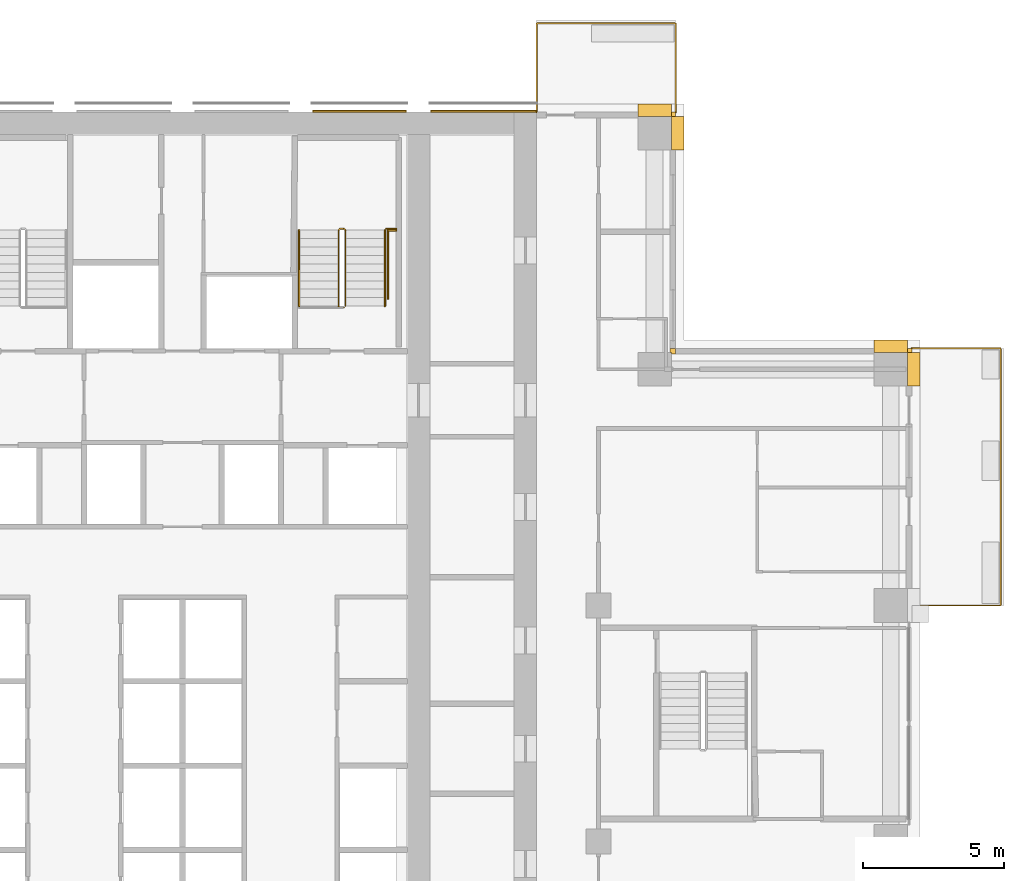
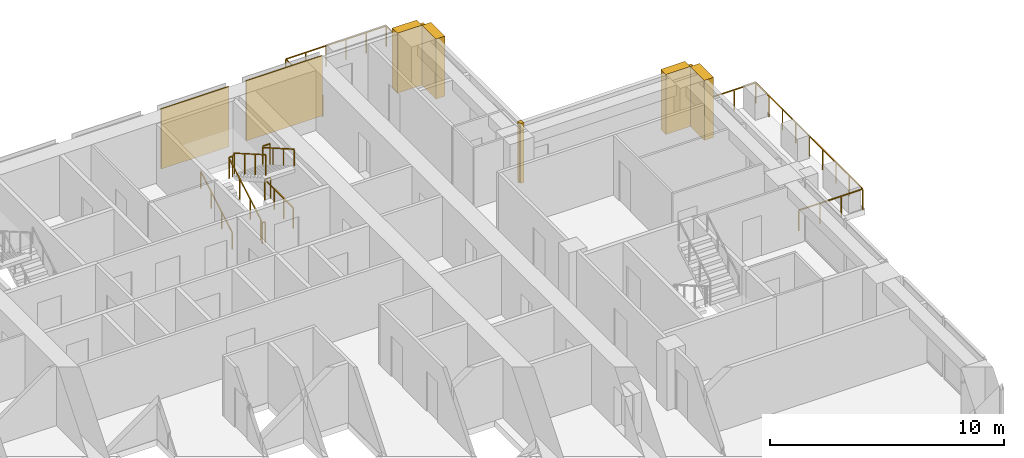
# One storey, part 17 of 17: 9 coverings, 7 railings.
"""IFC4 building model written with IfcOpenShell, lengths in metres."""

from ifc_helpers import new_model, si_unit, direction, frame, origin, origin_2d, place, context, subcontext, project, spatial, polyline, rectangle, outline, extrude, material, type_object, element, save


model = new_model("IFC4")

# Units and contexts
model_context = context("Model", 3, precision=1e-05, world=origin(), true_north=direction((0.0, 1.0)))
body_context = subcontext(model_context, "Body", "Model", "MODEL_VIEW")
ifc_project = project(units=[si_unit("LENGTHUNIT", "METRE"), si_unit("AREAUNIT", "SQUARE_METRE"), si_unit("VOLUMEUNIT", "CUBIC_METRE"), si_unit("PLANEANGLEUNIT", "RADIAN"), si_unit("MASSUNIT", "GRAM", prefix="KILO")], contexts=[model_context])

# Site, building, storey
site_placement = place(None, origin())
site = spatial("IfcSite", under=ifc_project, at=site_placement, CompositionType="ELEMENT")
building_placement = place(site_placement, origin())
building = spatial("IfcBuilding", under=site, at=building_placement, Name="Vermilion Ogive Tower", CompositionType="ELEMENT")
storey_placement = place(building_placement, frame((0.0, 0.0, 87.300048828125)))
storey = spatial("IfcBuildingStorey", under=building, at=storey_placement, Name="L21", CompositionType="ELEMENT", Elevation=87.300048828125)

# Railings
ifc_material_1 = material(Name="Stainless steel and glass", Category="steel")
railing_type_1 = type_object("IfcRailingType", Name="Balcony guard", PredefinedType="GUARDRAIL", material=ifc_material_1)
railing_1_placement = place(storey_placement, frame((25.949951171875, 4.199951171875, -0.0400390625)))
element("IfcRailing", 1, at=railing_1_placement, inside=storey, type_object=railing_type_1, Name="Guard E03", PredefinedType="GUARDRAIL", context=body_context, shape_type="SweptSolid", body=[
    extrude(rectangle(XDim=0.048095703125, YDim=0.048095703125, at=origin_2d()), frame((0.0, 0.0, 1.076171875), z_axis=(1.0, 0.0, 0.0), x_axis=(0.0, 1.0, 0.0)), (0.0, 0.0, 1.0), 3.16015625),
    extrude(rectangle(XDim=0.048095703125, YDim=0.048095703125, at=origin_2d()), frame((3.16015625, 0.0, 1.076171875), z_axis=(0.0, 1.0, 0.0), x_axis=(-1.0, 0.0, 0.0)), (0.0, 0.0, 1.0), 9.150146484375),
    extrude(rectangle(XDim=0.048095703125, YDim=0.048095703125, at=origin_2d()), frame((3.16015625, 9.150146484375, 1.076171875), z_axis=(-1.0, 0.0, 0.0), x_axis=(0.0, -1.0, 0.0)), (0.0, 0.0, 1.0), 3.16015625),
    extrude(rectangle(XDim=0.0419921875, YDim=0.0419921875, at=origin_2d()), origin(), (0.0, 0.0, 1.0), 1.052001953125),
    extrude(rectangle(XDim=0.0419921875, YDim=0.0419921875, at=origin_2d()), frame((1.053466796875, 0.0, 0.0)), (0.0, 0.0, 1.0), 1.052001953125),
    extrude(rectangle(XDim=0.0419921875, YDim=0.0419921875, at=origin_2d()), frame((2.106689453125, 0.0, 0.0)), (0.0, 0.0, 1.0), 1.052001953125),
    extrude(rectangle(XDim=0.0419921875, YDim=0.0419921875, at=origin_2d()), frame((3.16015625, 0.0, 0.0)), (0.0, 0.0, 1.0), 1.052001953125),
    extrude(rectangle(XDim=0.0419921875, YDim=0.0419921875, at=origin_2d()), frame((3.16015625, 1.143798828125, 0.0)), (0.0, 0.0, 1.0), 1.052001953125),
    extrude(rectangle(XDim=0.0419921875, YDim=0.0419921875, at=origin_2d()), frame((3.16015625, 2.28759765625, 0.0)), (0.0, 0.0, 1.0), 1.052001953125),
    extrude(rectangle(XDim=0.0419921875, YDim=0.0419921875, at=origin_2d()), frame((3.16015625, 3.431396484375, 0.0)), (0.0, 0.0, 1.0), 1.052001953125),
    extrude(rectangle(XDim=0.0419921875, YDim=0.0419921875, at=origin_2d()), frame((3.16015625, 4.5751953125, 0.0)), (0.0, 0.0, 1.0), 1.052001953125),
    extrude(rectangle(XDim=0.0419921875, YDim=0.0419921875, at=origin_2d()), frame((3.16015625, 5.71875, 0.0)), (0.0, 0.0, 1.0), 1.052001953125),
    extrude(rectangle(XDim=0.0419921875, YDim=0.0419921875, at=origin_2d()), frame((3.16015625, 6.862548828125, 0.0)), (0.0, 0.0, 1.0), 1.052001953125),
    extrude(rectangle(XDim=0.0419921875, YDim=0.0419921875, at=origin_2d()), frame((3.16015625, 8.00634765625, 0.0)), (0.0, 0.0, 1.0), 1.052001953125),
    extrude(rectangle(XDim=0.0419921875, YDim=0.0419921875, at=origin_2d()), frame((3.16015625, 9.150146484375, 0.0)), (0.0, 0.0, 1.0), 1.052001953125),
    extrude(rectangle(XDim=0.0419921875, YDim=0.0419921875, at=origin_2d()), frame((2.106689453125, 9.150146484375, 0.0)), (0.0, 0.0, 1.0), 1.052001953125),
    extrude(rectangle(XDim=0.0419921875, YDim=0.0419921875, at=origin_2d()), frame((1.053466796875, 9.150146484375, 0.0)), (0.0, 0.0, 1.0), 1.052001953125),
    extrude(rectangle(XDim=0.0419921875, YDim=0.0419921875, at=origin_2d()), frame((0.0, 9.150146484375, 0.0)), (0.0, 0.0, 1.0), 1.052001953125),
])
railing_2_placement = place(storey_placement, frame((17.550048828125, 21.75, -0.0400390625)))
element("IfcRailing", 2, at=railing_2_placement, inside=storey, type_object=railing_type_1, Name="Guard N101", PredefinedType="GUARDRAIL", context=body_context, shape_type="SweptSolid", body=[
    extrude(rectangle(XDim=0.048095703125, YDim=0.048095703125, at=origin_2d()), frame((0.0, 0.0, 1.076171875), z_axis=(0.0, 1.0, 0.0), x_axis=(-1.0, 0.0, 0.0)), (0.0, 0.0, 1.0), 3.159912109375),
    extrude(rectangle(XDim=0.048095703125, YDim=0.048095703125, at=origin_2d()), frame((0.0, 3.159912109375, 1.076171875), z_axis=(-1.0, 0.0, 0.0), x_axis=(0.0, -1.0, 0.0)), (0.0, 0.0, 1.0), 4.949951171875),
    extrude(rectangle(XDim=0.048095703125, YDim=0.048095703125, at=origin_2d()), frame((-4.949951171875, 3.159912109375, 1.076171875), z_axis=(0.0, -1.0, 0.0), x_axis=(1.0, 0.0, 0.0)), (0.0, 0.0, 1.0), 3.159912109375),
    extrude(rectangle(XDim=0.0419921875, YDim=0.0419921875, at=origin_2d()), origin(), (0.0, 0.0, 1.0), 1.052001953125),
    extrude(rectangle(XDim=0.0419921875, YDim=0.0419921875, at=origin_2d()), frame((0.0, 1.05322265625, 0.0)), (0.0, 0.0, 1.0), 1.052001953125),
    extrude(rectangle(XDim=0.0419921875, YDim=0.0419921875, at=origin_2d()), frame((0.0, 2.106689453125, 0.0)), (0.0, 0.0, 1.0), 1.052001953125),
    extrude(rectangle(XDim=0.0419921875, YDim=0.0419921875, at=origin_2d()), frame((0.0, 3.159912109375, 0.0)), (0.0, 0.0, 1.0), 1.052001953125),
    extrude(rectangle(XDim=0.0419921875, YDim=0.0419921875, at=origin_2d()), frame((-0.989990234375, 3.159912109375, 0.0)), (0.0, 0.0, 1.0), 1.052001953125),
    extrude(rectangle(XDim=0.0419921875, YDim=0.0419921875, at=origin_2d()), frame((-1.97998046875, 3.159912109375, 0.0)), (0.0, 0.0, 1.0), 1.052001953125),
    extrude(rectangle(XDim=0.0419921875, YDim=0.0419921875, at=origin_2d()), frame((-2.969970703125, 3.159912109375, 0.0)), (0.0, 0.0, 1.0), 1.052001953125),
    extrude(rectangle(XDim=0.0419921875, YDim=0.0419921875, at=origin_2d()), frame((-3.9599609375, 3.159912109375, 0.0)), (0.0, 0.0, 1.0), 1.052001953125),
    extrude(rectangle(XDim=0.0419921875, YDim=0.0419921875, at=origin_2d()), frame((-4.949951171875, 3.159912109375, 0.0)), (0.0, 0.0, 1.0), 1.052001953125),
    extrude(rectangle(XDim=0.0419921875, YDim=0.0419921875, at=origin_2d()), frame((-4.949951171875, 2.106689453125, 0.0)), (0.0, 0.0, 1.0), 1.052001953125),
    extrude(rectangle(XDim=0.0419921875, YDim=0.0419921875, at=origin_2d()), frame((-4.949951171875, 1.05322265625, 0.0)), (0.0, 0.0, 1.0), 1.052001953125),
    extrude(rectangle(XDim=0.0419921875, YDim=0.0419921875, at=origin_2d()), frame((-4.949951171875, 0.0, 0.0)), (0.0, 0.0, 1.0), 1.052001953125),
])
ifc_material_2 = material(Name="Steel S355 painted", Category="steel")
railing_type_2 = type_object("IfcRailingType", Name="Stair guard 1100", PredefinedType="GUARDRAIL", material=ifc_material_2)
railing_3_placement = place(storey_placement, frame((5.75, 14.800048828125, 0.0)))
element("IfcRailing", 3, at=railing_3_placement, inside=storey, type_object=railing_type_2, Name="L21 ST2 stair guard 4", PredefinedType="GUARDRAIL", context=body_context, shape_type="SweptSolid", body=[
    extrude(rectangle(XDim=0.048095703125, YDim=0.048095703125, at=origin_2d()), frame((0.0, 0.0, 1.076171875), z_axis=(-1.0, 0.0, 0.0), x_axis=(0.0, -1.0, 0.0)), (0.0, 0.0, 1.0), 0.14990234375),
    extrude(rectangle(XDim=0.048095703125, YDim=0.048095703125, at=origin_2d()), frame((-0.14990234375, 0.0, 1.076171875), z_axis=(-0.268603158521, 0.268603158521, 0.925043072762), x_axis=(-0.707106781187, -0.707106781187, 0.0)), (0.0, 0.0, 1.0), 0.186279296875),
    extrude(rectangle(XDim=0.048095703125, YDim=0.048095703125, at=origin_2d()), frame((-0.199951171875, 0.050048828125, 1.24853515625), z_axis=(0.0, 0.866903762492, 0.498475542607), x_axis=(-1.0, 0.0, 0.0)), (0.0, 0.0, 1.0), 3.114501953125),
    extrude(rectangle(XDim=0.048095703125, YDim=0.048095703125, at=origin_2d()), frame((-0.199951171875, 2.75, 2.80078125), z_axis=(0.707106781187, 0.707106781187, 0.0), x_axis=(-0.707106781187, 0.707106781187, 0.0)), (0.0, 0.0, 1.0), 0.07080078125),
    extrude(rectangle(XDim=0.048095703125, YDim=0.048095703125, at=origin_2d()), frame((-0.14990234375, 2.800048828125, 2.80078125), z_axis=(1.0, 0.0, 0.0), x_axis=(0.0, 1.0, 0.0)), (0.0, 0.0, 1.0), 0.14990234375),
    extrude(rectangle(XDim=0.048095703125, YDim=0.048095703125, at=origin_2d()), frame((0.0, 2.800048828125, 2.80078125), z_axis=(0.268277960024, -0.268277960024, 0.925231793839), x_axis=(0.707106781187, 0.707106781187, 0.0)), (0.0, 0.0, 1.0), 0.1865234375),
    extrude(rectangle(XDim=0.048095703125, YDim=0.048095703125, at=origin_2d()), frame((0.050048828125, 2.75, 2.9736328125), z_axis=(0.0, -0.866903762492, 0.498475542607), x_axis=(1.0, 0.0, 0.0)), (0.0, 0.0, 1.0), 3.114501953125),
    extrude(rectangle(XDim=0.0419921875, YDim=0.0419921875, at=origin_2d()), origin(), (0.0, 0.0, 1.0), 1.052001953125),
    extrude(rectangle(XDim=0.0419921875, YDim=0.0419921875, at=origin_2d()), frame((-0.14990234375, 0.0, 0.0)), (0.0, 0.0, 1.0), 1.052001953125),
    extrude(rectangle(XDim=0.0419921875, YDim=0.0419921875, at=origin_2d()), frame((-0.199951171875, 0.050048828125, 0.17236328125)), (0.0, 0.0, 1.0), 1.052001953125),
    extrude(rectangle(XDim=0.0419921875, YDim=0.0419921875, at=origin_2d()), frame((-0.199951171875, 0.949951171875, 0.68994140625)), (0.0, 0.0, 1.0), 1.052001953125),
    extrude(rectangle(XDim=0.0419921875, YDim=0.0419921875, at=origin_2d()), frame((-0.199951171875, 1.85009765625, 1.207275390625)), (0.0, 0.0, 1.0), 1.052001953125),
    extrude(rectangle(XDim=0.0419921875, YDim=0.0419921875, at=origin_2d()), frame((-0.199951171875, 2.75, 1.724853515625)), (0.0, 0.0, 1.0), 1.052001953125),
    extrude(rectangle(XDim=0.0419921875, YDim=0.0419921875, at=origin_2d()), frame((-0.14990234375, 2.800048828125, 1.724853515625)), (0.0, 0.0, 1.0), 1.052001953125),
    extrude(rectangle(XDim=0.0419921875, YDim=0.0419921875, at=origin_2d()), frame((0.0, 2.800048828125, 1.724853515625)), (0.0, 0.0, 1.0), 1.052001953125),
    extrude(rectangle(XDim=0.0419921875, YDim=0.0419921875, at=origin_2d()), frame((0.050048828125, 2.75, 1.8974609375)), (0.0, 0.0, 1.0), 1.052001953125),
    extrude(rectangle(XDim=0.0419921875, YDim=0.0419921875, at=origin_2d()), frame((0.050048828125, 1.85009765625, 2.4150390625)), (0.0, 0.0, 1.0), 1.052001953125),
    extrude(rectangle(XDim=0.0419921875, YDim=0.0419921875, at=origin_2d()), frame((0.050048828125, 0.949951171875, 2.932373046875)), (0.0, 0.0, 1.0), 1.052001953125),
    extrude(rectangle(XDim=0.0419921875, YDim=0.0419921875, at=origin_2d()), frame((0.050048828125, 0.050048828125, 3.449951171875)), (0.0, 0.0, 1.0), 1.052001953125),
])
railing_4_placement = place(storey_placement, frame((7.25, 17.60009765625, 1.724853515625)))
element("IfcRailing", 4, at=railing_4_placement, inside=storey, type_object=railing_type_2, Name="L21 landing guard", PredefinedType="GUARDRAIL", context=body_context, shape_type="SweptSolid", body=[
    extrude(rectangle(XDim=0.048095703125, YDim=0.048095703125, at=origin_2d()), frame((0.0, 0.0, 1.076171875), z_axis=(1.0, 0.0, 0.0), x_axis=(0.0, 1.0, 0.0)), (0.0, 0.0, 1.0), 0.35009765625),
    extrude(rectangle(XDim=0.0419921875, YDim=0.0419921875, at=origin_2d()), origin(), (0.0, 0.0, 1.0), 1.052001953125),
    extrude(rectangle(XDim=0.0419921875, YDim=0.0419921875, at=origin_2d()), frame((0.35009765625, 0.0, 0.0)), (0.0, 0.0, 1.0), 1.052001953125),
])
railing_5_placement = place(storey_placement, frame((7.599609375, 17.54296875, 0.0)))
element("IfcRailing", 5, at=railing_5_placement, inside=storey, type_object=railing_type_2, Name="L21 stair opening guard", PredefinedType="GUARDRAIL", context=body_context, shape_type="SweptSolid", body=[
    extrude(rectangle(XDim=0.048095703125, YDim=0.048095703125, at=origin_2d()), frame((0.0, 0.0, 1.076171875), z_axis=(-1.0, 0.0, 0.0), x_axis=(0.0, -1.0, 0.0)), (0.0, 0.0, 1.0), 0.2900390625),
    extrude(rectangle(XDim=0.048095703125, YDim=0.048095703125, at=origin_2d()), frame((-0.2900390625, 0.0, 1.076171875), z_axis=(0.0, -1.0, 0.0), x_axis=(1.0, 0.0, 0.0)), (0.0, 0.0, 1.0), 2.42431640625),
    extrude(rectangle(XDim=0.0419921875, YDim=0.0419921875, at=origin_2d()), origin(), (0.0, 0.0, 1.0), 1.052001953125),
    extrude(rectangle(XDim=0.0419921875, YDim=0.0419921875, at=origin_2d()), frame((-0.2900390625, 0.0, 0.0)), (0.0, 0.0, 1.0), 1.052001953125),
    extrude(rectangle(XDim=0.0419921875, YDim=0.0419921875, at=origin_2d()), frame((-0.2900390625, -0.80810546875, 0.0)), (0.0, 0.0, 1.0), 1.052001953125),
    extrude(rectangle(XDim=0.0419921875, YDim=0.0419921875, at=origin_2d()), frame((-0.2900390625, -1.6162109375, 0.0)), (0.0, 0.0, 1.0), 1.052001953125),
    extrude(rectangle(XDim=0.0419921875, YDim=0.0419921875, at=origin_2d()), frame((-0.2900390625, -2.42431640625, 0.0)), (0.0, 0.0, 1.0), 1.052001953125),
])
ifc_material_3 = material(Name="Stainless steel", Category="steel")
railing_type_3 = type_object("IfcRailingType", Name="Stair handrail 900", PredefinedType="HANDRAIL", material=ifc_material_3)
railing_6_placement = place(storey_placement, frame((4.14990234375, 14.85009765625, 0.17236328125)))
element("IfcRailing", 6, at=railing_6_placement, inside=storey, type_object=railing_type_3, Name="L21 ST2 stair handrail 1", PredefinedType="HANDRAIL", context=body_context, shape_type="SweptSolid", body=[
    extrude(rectangle(XDim=0.048095703125, YDim=0.048095703125, at=origin_2d()), frame((0.0, 0.0, 0.8759765625), z_axis=(0.0, 0.866903762492, 0.498475542607), x_axis=(-1.0, 0.0, 0.0)), (0.0, 0.0, 1.0), 3.114501953125),
    extrude(rectangle(XDim=0.0419921875, YDim=0.0419921875, at=origin_2d()), origin(), (0.0, 0.0, 1.0), 0.851806640625),
    extrude(rectangle(XDim=0.0419921875, YDim=0.0419921875, at=origin_2d()), frame((0.0, 0.89990234375, 0.517578125)), (0.0, 0.0, 1.0), 0.851806640625),
    extrude(rectangle(XDim=0.0419921875, YDim=0.0419921875, at=origin_2d()), frame((0.0, 1.800048828125, 1.034912109375)), (0.0, 0.0, 1.0), 0.851806640625),
    extrude(rectangle(XDim=0.0419921875, YDim=0.0419921875, at=origin_2d()), frame((0.0, 2.699951171875, 1.552490234375)), (0.0, 0.0, 1.0), 0.851806640625),
])
railing_7_placement = place(storey_placement, frame((7.199951171875, 17.550048828125, 1.8974609375)))
element("IfcRailing", 7, at=railing_7_placement, inside=storey, type_object=railing_type_3, Name="L21 ST2 stair handrail 2", PredefinedType="HANDRAIL", context=body_context, shape_type="SweptSolid", body=[
    extrude(rectangle(XDim=0.048095703125, YDim=0.048095703125, at=origin_2d()), frame((0.0, 0.0, 0.8759765625), z_axis=(0.0, -0.866903762492, 0.498475542607), x_axis=(1.0, 0.0, 0.0)), (0.0, 0.0, 1.0), 3.114501953125),
    extrude(rectangle(XDim=0.0419921875, YDim=0.0419921875, at=origin_2d()), origin(), (0.0, 0.0, 1.0), 0.851806640625),
    extrude(rectangle(XDim=0.0419921875, YDim=0.0419921875, at=origin_2d()), frame((0.0, -0.89990234375, 0.517578125)), (0.0, 0.0, 1.0), 0.851806640625),
    extrude(rectangle(XDim=0.0419921875, YDim=0.0419921875, at=origin_2d()), frame((0.0, -1.800048828125, 1.034912109375)), (0.0, 0.0, 1.0), 0.851806640625),
    extrude(rectangle(XDim=0.0419921875, YDim=0.0419921875, at=origin_2d()), frame((0.0, -2.699951171875, 1.552490234375)), (0.0, 0.0, 1.0), 0.851806640625),
])

# Coverings
ifc_material_4 = material(Name="Stone cladding", Category="masonry")
covering_type_1 = type_object("IfcCoveringType", Name="Stone cladding panel", PredefinedType="CLADDING", material=ifc_material_4)
covering_1_placement = place(storey_placement, origin())
element("IfcCovering", 8, at=covering_1_placement, inside=storey, type_object=covering_type_1, Name="Stone cladding panel N5", PredefinedType="CLADDING", context=body_context, shape_type="SweptSolid", body=[
    extrude(outline(polyline([(4.6298828125, 21.75), (7.969970703125, 21.75), (7.969970703125, 21.81005859375), (4.6298828125, 21.81005859375), (4.6298828125, 21.75)])), origin(), (0.0, 0.0, 1.0), 3.1298828125),
])
covering_2_placement = place(storey_placement, origin())
element("IfcCovering", 9, at=covering_2_placement, inside=storey, type_object=covering_type_1, Name="Stone cladding panel N6", PredefinedType="CLADDING", context=body_context, shape_type="SweptSolid", body=[
    extrude(outline(polyline([(8.830078125, 21.75), (12.590087890625, 21.75), (12.590087890625, 21.81005859375), (8.830078125, 21.81005859375), (8.830078125, 21.75)])), origin(), (0.0, 0.0, 1.0), 3.1298828125),
])
ifc_material_5 = material(Name="Stone cladding", Category="masonry")
covering_type_2 = type_object("IfcCoveringType", Name="Stone pier", PredefinedType="CLADDING", material=ifc_material_5)
covering_3_placement = place(storey_placement, origin())
element("IfcCovering", 10, at=covering_3_placement, inside=storey, type_object=covering_type_2, Name="Stone corner pier EE1", PredefinedType="CLADDING", context=body_context, shape_type="SweptSolid", body=[
    extrude(outline(polyline([(25.949951171875, 13.199951171875), (25.800048828125, 13.199951171875), (25.800048828125, 13.35009765625), (25.949951171875, 13.35009765625), (25.949951171875, 13.199951171875)])), origin(), (0.0, 0.0, 1.0), 3.1298828125),
])
covering_4_placement = place(storey_placement, origin())
element("IfcCovering", 11, at=covering_4_placement, inside=storey, type_object=covering_type_2, Name="Stone corner pier X3E1", PredefinedType="CLADDING", context=body_context, shape_type="SweptSolid", body=[
    extrude(outline(polyline([(17.39990234375, 13.14990234375), (17.39990234375, 13.199951171875), (17.35009765625, 13.199951171875), (17.35009765625, 13.35009765625), (17.550048828125, 13.35009765625), (17.550048828125, 13.14990234375), (17.39990234375, 13.14990234375)])), origin(), (0.0, 0.0, 1.0), 3.1298828125),
])
covering_5_placement = place(storey_placement, origin())
element("IfcCovering", 12, at=covering_5_placement, inside=storey, type_object=covering_type_2, Name="Stone corner pier X4E1", PredefinedType="CLADDING", context=body_context, shape_type="SweptSolid", body=[
    extrude(outline(polyline([(17.550048828125, 21.60009765625), (17.39990234375, 21.60009765625), (17.39990234375, 21.60009765625), (17.39990234375, 21.75), (17.550048828125, 21.75), (17.550048828125, 21.60009765625)])), origin(), (0.0, 0.0, 1.0), 3.1298828125),
])
covering_6_placement = place(storey_placement, origin())
element("IfcCovering", 13, at=covering_6_placement, inside=storey, type_object=covering_type_2, Name="Stone pier P+0168+210X4", PredefinedType="CLADDING", context=body_context, shape_type="SweptSolid", body=[
    extrude(outline(polyline([(17.85009765625, 21.60009765625), (17.85009765625, 20.39990234375), (17.39990234375, 20.39990234375), (17.39990234375, 21.60009765625), (17.85009765625, 21.60009765625)])), origin(), (0.0, 0.0, 1.0), 3.1298828125),
])
covering_7_placement = place(storey_placement, origin())
element("IfcCovering", 14, at=covering_7_placement, inside=storey, type_object=covering_type_2, Name="Stone pier P+0168+210N1", PredefinedType="CLADDING", context=body_context, shape_type="SweptSolid", body=[
    extrude(outline(polyline([(17.39990234375, 22.050048828125), (17.39990234375, 21.60009765625), (16.199951171875, 21.60009765625), (16.199951171875, 22.050048828125), (17.39990234375, 22.050048828125)])), origin(), (0.0, 0.0, 1.0), 3.1298828125),
])
covering_8_placement = place(storey_placement, origin())
element("IfcCovering", 15, at=covering_8_placement, inside=storey, type_object=covering_type_2, Name="Stone pier P+0252+126E", PredefinedType="CLADDING", context=body_context, shape_type="SweptSolid", body=[
    extrude(outline(polyline([(25.800048828125, 13.199951171875), (25.800048828125, 13.199951171875), (26.25, 13.199951171875), (26.25, 12.0), (25.800048828125, 12.0), (25.800048828125, 12.0), (25.800048828125, 13.199951171875)])), origin(), (0.0, 0.0, 1.0), 3.1298828125),
])
covering_9_placement = place(storey_placement, origin())
element("IfcCovering", 16, at=covering_9_placement, inside=storey, type_object=covering_type_2, Name="Stone pier P+0252+126X3", PredefinedType="CLADDING", context=body_context, shape_type="SweptSolid", body=[
    extrude(outline(polyline([(25.800048828125, 13.64990234375), (25.800048828125, 13.199951171875), (25.800048828125, 13.199951171875), (24.60009765625, 13.199951171875), (24.60009765625, 13.64990234375), (25.800048828125, 13.64990234375)])), origin(), (0.0, 0.0, 1.0), 3.1298828125),
])

save(model, "model.ifc")
